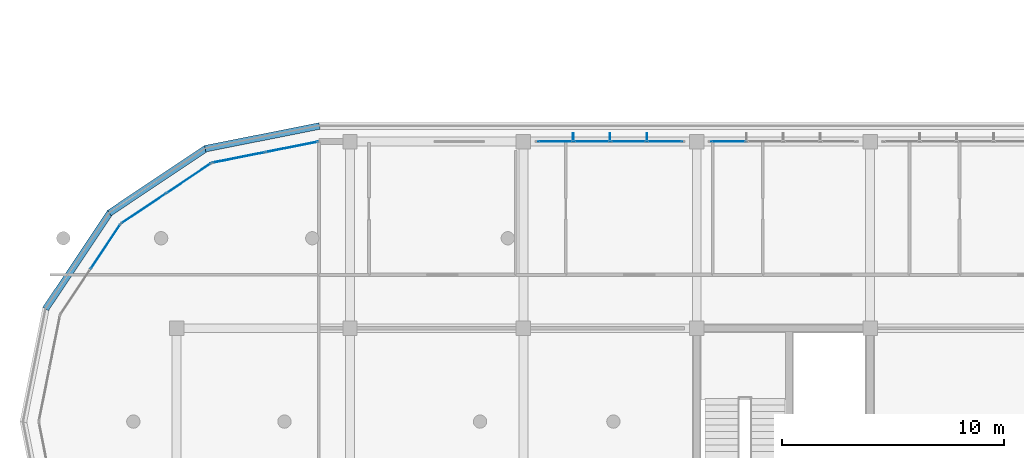
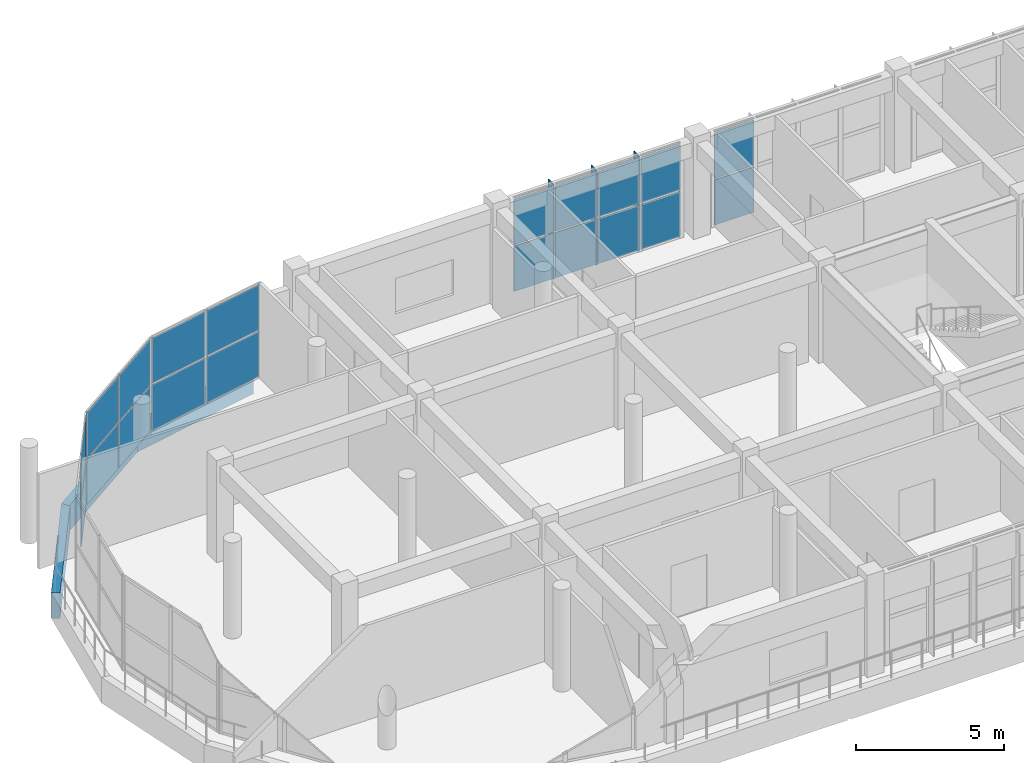
# One storey, part 38 of 57: 26 plates, 5 elements without a shape of their own.
"""IFC4 building model written with IfcOpenShell, lengths in metres."""

from ifc_helpers import new_model, si_unit, direction, frame, origin, origin_2d, place, context, subcontext, project, spatial, polyline, rectangle, outline, extrude, material, layer, layer_set, type_object, element, aggregate, save


model = new_model("IFC4")

# Units and contexts
model_context = context("Model", 3, precision=1e-05, world=origin(), true_north=direction((0.0, 1.0)))
body_context = subcontext(model_context, "Body", "Model", "MODEL_VIEW")
ifc_project = project(units=[si_unit("LENGTHUNIT", "METRE"), si_unit("AREAUNIT", "SQUARE_METRE"), si_unit("VOLUMEUNIT", "CUBIC_METRE"), si_unit("PLANEANGLEUNIT", "RADIAN"), si_unit("MASSUNIT", "GRAM", prefix="KILO")], contexts=[model_context])

# Site, building, storey
site_placement = place(None, origin())
site = spatial("IfcSite", under=ifc_project, at=site_placement, CompositionType="ELEMENT")
building_placement = place(site_placement, origin())
building = spatial("IfcBuilding", under=site, at=building_placement, Name="Zizhar Promenade General Hospital", CompositionType="ELEMENT")
storey_placement = place(building_placement, frame((0.0, 0.0, 22.199951171875)))
storey = spatial("IfcBuildingStorey", under=building, at=storey_placement, Name="L05", CompositionType="ELEMENT", Elevation=22.199951171875)

# Curtain wall, plates
ifc_material_1 = material(Name="Anodised aluminium 6063-T6 and low-E glass", Category="aluminium")
ifc_layer_1 = layer(ifc_material_1, 0.159912109375)
ifc_layer_set_1 = layer_set([ifc_layer_1], Name="Anodised aluminium 6063-T6 and low-E glass")
curtain_wall_type_1 = type_object("IfcCurtainWallType", Name="CW-WARD-RIB", PredefinedType="NOTDEFINED", material=ifc_layer_set_1)
curtain_wall_1_placement = place(storey_placement, origin())
curtain_wall_1 = element("IfcCurtainWall", 1, at=curtain_wall_1_placement, inside=storey, type_object=curtain_wall_type_1, Name="Ward Ribbon Curtain Wall L05-8-1", PredefinedType="NOTDEFINED")
ifc_material_2 = material(Name="Low-E solar-control glass", Category="glass")
ifc_layer_2 = layer(ifc_material_2, 0.031982421875)
ifc_layer_set_2 = layer_set([ifc_layer_2], Name="Low-E solar-control glass")
plate_type_1 = type_object("IfcPlateType", Name="CWP-GLZ-32", PredefinedType="CURTAIN_PANEL", material=ifc_layer_set_2)
plate_1_placement = place(storey_placement, frame((40.429931640625, 25.199951171875, 0.06005859375), z_axis=(0.0, 0.0, 1.0), x_axis=(1.0, 0.0, 0.0)))
plate_1 = element("IfcPlate", 2, at=plate_1_placement, type_object=plate_type_1, Name="CW-13 panel 1.1", PredefinedType="CURTAIN_PANEL", context=body_context, shape_type="SweptSolid", body=[
    extrude(rectangle(XDim=1.5400390625, YDim=0.031982421875, at=origin_2d()), origin(), (0.0, 0.0, 1.0), 1.860107421875),
])
plate_2_placement = place(storey_placement, frame((40.429931640625, 25.199951171875, 1.97998046875), z_axis=(0.0, 0.0, 1.0), x_axis=(1.0, 0.0, 0.0)))
plate_2 = element("IfcPlate", 3, at=plate_2_placement, type_object=plate_type_1, Name="CW-13 panel 1.2", PredefinedType="CURTAIN_PANEL", context=body_context, shape_type="SweptSolid", body=[
    extrude(rectangle(XDim=1.5400390625, YDim=0.031982421875, at=origin_2d()), origin(), (0.0, 0.0, 1.0), 1.860107421875),
])
plate_3_placement = place(storey_placement, frame((42.070068359375, 25.199951171875, 0.06005859375), z_axis=(0.0, 0.0, 1.0), x_axis=(1.0, 0.0, 0.0)))
plate_3 = element("IfcPlate", 4, at=plate_3_placement, type_object=plate_type_1, Name="CW-13 panel 2.1", PredefinedType="CURTAIN_PANEL", context=body_context, shape_type="SweptSolid", body=[
    extrude(rectangle(XDim=1.580078125, YDim=0.031982421875, at=origin_2d()), origin(), (0.0, 0.0, 1.0), 1.860107421875),
])
plate_4_placement = place(storey_placement, frame((42.070068359375, 25.199951171875, 1.97998046875), z_axis=(0.0, 0.0, 1.0), x_axis=(1.0, 0.0, 0.0)))
plate_4 = element("IfcPlate", 5, at=plate_4_placement, type_object=plate_type_1, Name="CW-13 panel 2.2", PredefinedType="CURTAIN_PANEL", context=body_context, shape_type="SweptSolid", body=[
    extrude(rectangle(XDim=1.580078125, YDim=0.031982421875, at=origin_2d()), origin(), (0.0, 0.0, 1.0), 1.860107421875),
])
plate_5_placement = place(storey_placement, frame((43.72998046875, 25.199951171875, 0.06005859375), z_axis=(0.0, 0.0, 1.0), x_axis=(1.0, 0.0, 0.0)))
plate_5 = element("IfcPlate", 6, at=plate_5_placement, type_object=plate_type_1, Name="CW-13 panel 3.1", PredefinedType="CURTAIN_PANEL", context=body_context, shape_type="SweptSolid", body=[
    extrude(rectangle(XDim=1.580078125, YDim=0.031982421875, at=origin_2d()), origin(), (0.0, 0.0, 1.0), 1.860107421875),
])
plate_6_placement = place(storey_placement, frame((43.72998046875, 25.199951171875, 1.97998046875), z_axis=(0.0, 0.0, 1.0), x_axis=(1.0, 0.0, 0.0)))
plate_6 = element("IfcPlate", 7, at=plate_6_placement, type_object=plate_type_1, Name="CW-13 panel 3.2", PredefinedType="CURTAIN_PANEL", context=body_context, shape_type="SweptSolid", body=[
    extrude(rectangle(XDim=1.580078125, YDim=0.031982421875, at=origin_2d()), origin(), (0.0, 0.0, 1.0), 1.860107421875),
])
plate_7_placement = place(storey_placement, frame((45.3701171875, 25.199951171875, 0.06005859375), z_axis=(0.0, 0.0, 1.0), x_axis=(1.0, 0.0, 0.0)))
plate_7 = element("IfcPlate", 8, at=plate_7_placement, type_object=plate_type_1, Name="CW-13 panel 4.1", PredefinedType="CURTAIN_PANEL", context=body_context, shape_type="SweptSolid", body=[
    extrude(rectangle(XDim=1.5400390625, YDim=0.031982421875, at=origin_2d()), origin(), (0.0, 0.0, 1.0), 1.860107421875),
])
plate_8_placement = place(storey_placement, frame((45.3701171875, 25.199951171875, 1.97998046875), z_axis=(0.0, 0.0, 1.0), x_axis=(1.0, 0.0, 0.0)))
plate_8 = element("IfcPlate", 9, at=plate_8_placement, type_object=plate_type_1, Name="CW-13 panel 4.2", PredefinedType="CURTAIN_PANEL", context=body_context, shape_type="SweptSolid", body=[
    extrude(rectangle(XDim=1.5400390625, YDim=0.031982421875, at=origin_2d()), origin(), (0.0, 0.0, 1.0), 1.860107421875),
])
aggregate(curtain_wall_1, [plate_1, plate_2, plate_3, plate_4, plate_5, plate_6, plate_7, plate_8])

curtain_wall_2_placement = place(storey_placement, origin())
curtain_wall_2 = element("IfcCurtainWall", 10, at=curtain_wall_2_placement, inside=storey, type_object=curtain_wall_type_1, Name="Ward Ribbon Curtain Wall L05-8-2", PredefinedType="NOTDEFINED")
plate_9_placement = place(storey_placement, frame((48.22998046875, 25.199951171875, 0.06005859375), z_axis=(0.0, 0.0, 1.0), x_axis=(1.0, 0.0, 0.0)))
plate_9 = element("IfcPlate", 11, at=plate_9_placement, type_object=plate_type_1, Name="CW-13 panel 1.1", PredefinedType="CURTAIN_PANEL", context=body_context, shape_type="SweptSolid", body=[
    extrude(rectangle(XDim=1.5400390625, YDim=0.031982421875, at=origin_2d()), origin(), (0.0, 0.0, 1.0), 1.860107421875),
])
plate_10_placement = place(storey_placement, frame((48.22998046875, 25.199951171875, 1.97998046875), z_axis=(0.0, 0.0, 1.0), x_axis=(1.0, 0.0, 0.0)))
plate_10 = element("IfcPlate", 12, at=plate_10_placement, type_object=plate_type_1, Name="CW-13 panel 1.2", PredefinedType="CURTAIN_PANEL", context=body_context, shape_type="SweptSolid", body=[
    extrude(rectangle(XDim=1.5400390625, YDim=0.031982421875, at=origin_2d()), origin(), (0.0, 0.0, 1.0), 1.860107421875),
])
aggregate(curtain_wall_2, [plate_9, plate_10])

ifc_material_3 = material(Name="Anodised aluminium 6063-T6 and low-E glass", Category="aluminium")
ifc_layer_3 = layer(ifc_material_3, 0.159912109375)
ifc_layer_set_3 = layer_set([ifc_layer_3], Name="Anodised aluminium 6063-T6 and low-E glass")
curtain_wall_type_2 = type_object("IfcCurtainWallType", Name="CW-WARD-ARC", PredefinedType="NOTDEFINED", material=ifc_layer_set_3)
curtain_wall_3_placement = place(storey_placement, origin())
curtain_wall_3 = element("IfcCurtainWall", 13, at=curtain_wall_3_placement, inside=storey, type_object=curtain_wall_type_2, Name="Ward Semicircular End Glazing L05-10", PredefinedType="NOTDEFINED")
plate_11_placement = place(storey_placement, frame((26.1982421875, 24.483642578125, 0.06005859375), z_axis=(0.0, 0.0, 1.0), x_axis=(0.980785889615, 0.195087259275, 0.0)))
plate_11 = element("IfcPlate", 14, at=plate_11_placement, type_object=plate_type_1, Name="CW-12 panel 1.1", PredefinedType="CURTAIN_PANEL", context=body_context, shape_type="SweptSolid", body=[
    extrude(rectangle(XDim=2.3681640625, YDim=0.031982421875, at=origin_2d()), origin(), (0.0, 0.0, 1.0), 1.860107421875),
])
plate_12_placement = place(storey_placement, frame((26.1982421875, 24.483642578125, 1.97998046875), z_axis=(0.0, 0.0, 1.0), x_axis=(0.980785889615, 0.195087259275, 0.0)))
plate_12 = element("IfcPlate", 15, at=plate_12_placement, type_object=plate_type_1, Name="CW-12 panel 1.2", PredefinedType="CURTAIN_PANEL", context=body_context, shape_type="SweptSolid", body=[
    extrude(rectangle(XDim=2.3681640625, YDim=0.031982421875, at=origin_2d()), origin(), (0.0, 0.0, 1.0), 1.860107421875),
])
plate_13_placement = place(storey_placement, frame((28.579833984375, 24.957275390625, 0.06005859375), z_axis=(0.0, 0.0, 1.0), x_axis=(0.980785889615, 0.195087259275, 0.0)))
plate_13 = element("IfcPlate", 16, at=plate_13_placement, type_object=plate_type_1, Name="CW-12 panel 2.1", PredefinedType="CURTAIN_PANEL", context=body_context, shape_type="SweptSolid", body=[
    extrude(rectangle(XDim=2.3681640625, YDim=0.031982421875, at=origin_2d()), origin(), (0.0, 0.0, 1.0), 1.860107421875),
])
plate_14_placement = place(storey_placement, frame((28.579833984375, 24.957275390625, 1.97998046875), z_axis=(0.0, 0.0, 1.0), x_axis=(0.980785889615, 0.195087259275, 0.0)))
plate_14 = element("IfcPlate", 17, at=plate_14_placement, type_object=plate_type_1, Name="CW-12 panel 2.2", PredefinedType="CURTAIN_PANEL", context=body_context, shape_type="SweptSolid", body=[
    extrude(rectangle(XDim=2.3681640625, YDim=0.031982421875, at=origin_2d()), origin(), (0.0, 0.0, 1.0), 1.860107421875),
])
aggregate(curtain_wall_3, [plate_11, plate_12, plate_13, plate_14])

curtain_wall_4_placement = place(storey_placement, origin())
curtain_wall_4 = element("IfcCurtainWall", 18, at=curtain_wall_4_placement, inside=storey, type_object=curtain_wall_type_2, Name="Ward Semicircular End Glazing L05-11", PredefinedType="NOTDEFINED")
plate_15_placement = place(storey_placement, frame((21.9248046875, 22.20068359375, 0.06005859375), z_axis=(0.0, 0.0, 1.0), x_axis=(0.831461514468, 0.555582352095, 0.0)))
plate_15 = element("IfcPlate", 19, at=plate_15_placement, type_object=plate_type_1, Name="CW-12 panel 1.1", PredefinedType="CURTAIN_PANEL", context=body_context, shape_type="SweptSolid", body=[
    extrude(rectangle(XDim=2.3681640625, YDim=0.031982421875, at=origin_2d()), origin(), (0.0, 0.0, 1.0), 1.860107421875),
])
plate_16_placement = place(storey_placement, frame((21.9248046875, 22.20068359375, 1.97998046875), z_axis=(0.0, 0.0, 1.0), x_axis=(0.831461514468, 0.555582352095, 0.0)))
plate_16 = element("IfcPlate", 20, at=plate_16_placement, type_object=plate_type_1, Name="CW-12 panel 1.2", PredefinedType="CURTAIN_PANEL", context=body_context, shape_type="SweptSolid", body=[
    extrude(rectangle(XDim=2.3681640625, YDim=0.031982421875, at=origin_2d()), origin(), (0.0, 0.0, 1.0), 1.860107421875),
])
plate_17_placement = place(storey_placement, frame((23.94384765625, 23.5498046875, 0.06005859375), z_axis=(0.0, 0.0, 1.0), x_axis=(0.831461514468, 0.555582352095, 0.0)))
plate_17 = element("IfcPlate", 21, at=plate_17_placement, type_object=plate_type_1, Name="CW-12 panel 2.1", PredefinedType="CURTAIN_PANEL", context=body_context, shape_type="SweptSolid", body=[
    extrude(rectangle(XDim=2.3681640625, YDim=0.031982421875, at=origin_2d()), origin(), (0.0, 0.0, 1.0), 1.860107421875),
])
plate_18_placement = place(storey_placement, frame((23.94384765625, 23.5498046875, 1.97998046875), z_axis=(0.0, 0.0, 1.0), x_axis=(0.831461514468, 0.555582352095, 0.0)))
plate_18 = element("IfcPlate", 22, at=plate_18_placement, type_object=plate_type_1, Name="CW-12 panel 2.2", PredefinedType="CURTAIN_PANEL", context=body_context, shape_type="SweptSolid", body=[
    extrude(rectangle(XDim=2.3681640625, YDim=0.031982421875, at=origin_2d()), origin(), (0.0, 0.0, 1.0), 1.860107421875),
])
aggregate(curtain_wall_4, [plate_15, plate_16, plate_17, plate_18])

curtain_wall_5_placement = place(storey_placement, origin())
curtain_wall_5 = element("IfcCurtainWall", 23, at=curtain_wall_5_placement, inside=storey, type_object=curtain_wall_type_2, Name="Ward Semicircular End Glazing L05-12", PredefinedType="NOTDEFINED")
plate_19_placement = place(storey_placement, frame((20.19921875, 20.47509765625, 0.06005859375), z_axis=(0.0, 0.0, 1.0), x_axis=(0.555582352095, 0.831461514468, 0.0)))
plate_19 = element("IfcPlate", 24, at=plate_19_placement, type_object=plate_type_1, Name="CW-12 panel 2.1", PredefinedType="CURTAIN_PANEL", context=body_context, shape_type="SweptSolid", body=[
    extrude(rectangle(XDim=2.3681640625, YDim=0.031982421875, at=origin_2d()), origin(), (0.0, 0.0, 1.0), 1.860107421875),
])
plate_20_placement = place(storey_placement, frame((20.19921875, 20.47509765625, 1.97998046875), z_axis=(0.0, 0.0, 1.0), x_axis=(0.555582352095, 0.831461514468, 0.0)))
plate_20 = element("IfcPlate", 25, at=plate_20_placement, type_object=plate_type_1, Name="CW-12 panel 2.2", PredefinedType="CURTAIN_PANEL", context=body_context, shape_type="SweptSolid", body=[
    extrude(rectangle(XDim=2.3681640625, YDim=0.031982421875, at=origin_2d()), origin(), (0.0, 0.0, 1.0), 1.860107421875),
])
aggregate(curtain_wall_5, [plate_19, plate_20])

# Plates
ifc_material_4 = material(Name="Anodised aluminium 6063-T6", Category="aluminium")
ifc_layer_4 = layer(ifc_material_4, 0.035888671875)
ifc_layer_set_4 = layer_set([ifc_layer_4], Name="Anodised aluminium 6063-T6")
plate_type_2 = type_object("IfcPlateType", Name="FIN-ALU-380", PredefinedType="USERDEFINED", material=ifc_layer_set_4)
plate_21_placement = place(storey_placement, origin())
element("IfcPlate", 26, at=plate_21_placement, inside=storey, type_object=plate_type_2, Name="Ward Ribbon Curtain Wall L05-8-1 Solar Fin 1", ObjectType="SOLAR_SHADE", PredefinedType="USERDEFINED", context=body_context, shape_type="SweptSolid", body=[
    extrude(outline(polyline([(41.221923828125, 25.199951171875), (41.258056640625, 25.199951171875), (41.258056640625, 25.580078125), (41.221923828125, 25.580078125), (41.221923828125, 25.199951171875)])), origin(), (0.0, 0.0, 1.0), 3.900146484375),
])
plate_22_placement = place(storey_placement, origin())
element("IfcPlate", 27, at=plate_22_placement, inside=storey, type_object=plate_type_2, Name="Ward Ribbon Curtain Wall L05-8-1 Solar Fin 2", ObjectType="SOLAR_SHADE", PredefinedType="USERDEFINED", context=body_context, shape_type="SweptSolid", body=[
    extrude(outline(polyline([(42.882080078125, 25.199951171875), (42.91796875, 25.199951171875), (42.91796875, 25.580078125), (42.882080078125, 25.580078125), (42.882080078125, 25.199951171875)])), origin(), (0.0, 0.0, 1.0), 3.900146484375),
])
plate_23_placement = place(storey_placement, origin())
element("IfcPlate", 28, at=plate_23_placement, inside=storey, type_object=plate_type_2, Name="Ward Ribbon Curtain Wall L05-8-1 Solar Fin 3", ObjectType="SOLAR_SHADE", PredefinedType="USERDEFINED", context=body_context, shape_type="SweptSolid", body=[
    extrude(outline(polyline([(44.5419921875, 25.199951171875), (44.577880859375, 25.199951171875), (44.577880859375, 25.580078125), (44.5419921875, 25.580078125), (44.5419921875, 25.199951171875)])), origin(), (0.0, 0.0, 1.0), 3.900146484375),
])
ifc_material_5 = material(Name="Precast concrete C40/50", Category="concrete")
ifc_layer_5 = layer(ifc_material_5, 0.300048828125)
ifc_layer_set_5 = layer_set([ifc_layer_5], Name="Precast concrete C40/50")
plate_type_3 = type_object("IfcPlateType", Name="PL-PC-BAND1100", PredefinedType="USERDEFINED", material=ifc_layer_set_5)
plate_24_placement = place(storey_placement, frame((0.0, 0.0, -1.050048828125)))
element("IfcPlate", 29, at=plate_24_placement, inside=storey, type_object=plate_type_3, Name="Ward Precast Slab Band L05-10", ObjectType="FASCIA_BAND", PredefinedType="USERDEFINED", context=body_context, shape_type="SweptSolid", body=[
    extrude(outline(polyline([(29.800048828125, 26.050048828125), (24.65283203125, 25.026123046875), (24.71142578125, 24.73193359375), (29.8583984375, 25.755859375), (29.800048828125, 26.050048828125)])), origin(), (0.0, 0.0, 1.0), 1.050048828125),
])
plate_25_placement = place(storey_placement, frame((0.0, 0.0, -1.050048828125)))
element("IfcPlate", 30, at=plate_25_placement, inside=storey, type_object=plate_type_3, Name="Ward Precast Slab Band L05-11", ObjectType="FASCIA_BAND", PredefinedType="USERDEFINED", context=body_context, shape_type="SweptSolid", body=[
    extrude(outline(polyline([(24.65283203125, 25.026123046875), (20.289306640625, 22.110595703125), (20.4560546875, 21.861083984375), (24.819580078125, 24.77685546875), (24.65283203125, 25.026123046875)])), origin(), (0.0, 0.0, 1.0), 1.050048828125),
])
plate_26_placement = place(storey_placement, frame((0.0, 0.0, -1.050048828125)))
element("IfcPlate", 31, at=plate_26_placement, inside=storey, type_object=plate_type_3, Name="Ward Precast Slab Band L05-12", ObjectType="FASCIA_BAND", PredefinedType="USERDEFINED", context=body_context, shape_type="SweptSolid", body=[
    extrude(outline(polyline([(20.289306640625, 22.110595703125), (17.373779296875, 17.7470703125), (17.623291015625, 17.580322265625), (20.538818359375, 21.94384765625), (20.289306640625, 22.110595703125)])), origin(), (0.0, 0.0, 1.0), 1.050048828125),
])

save(model, "model.ifc")
